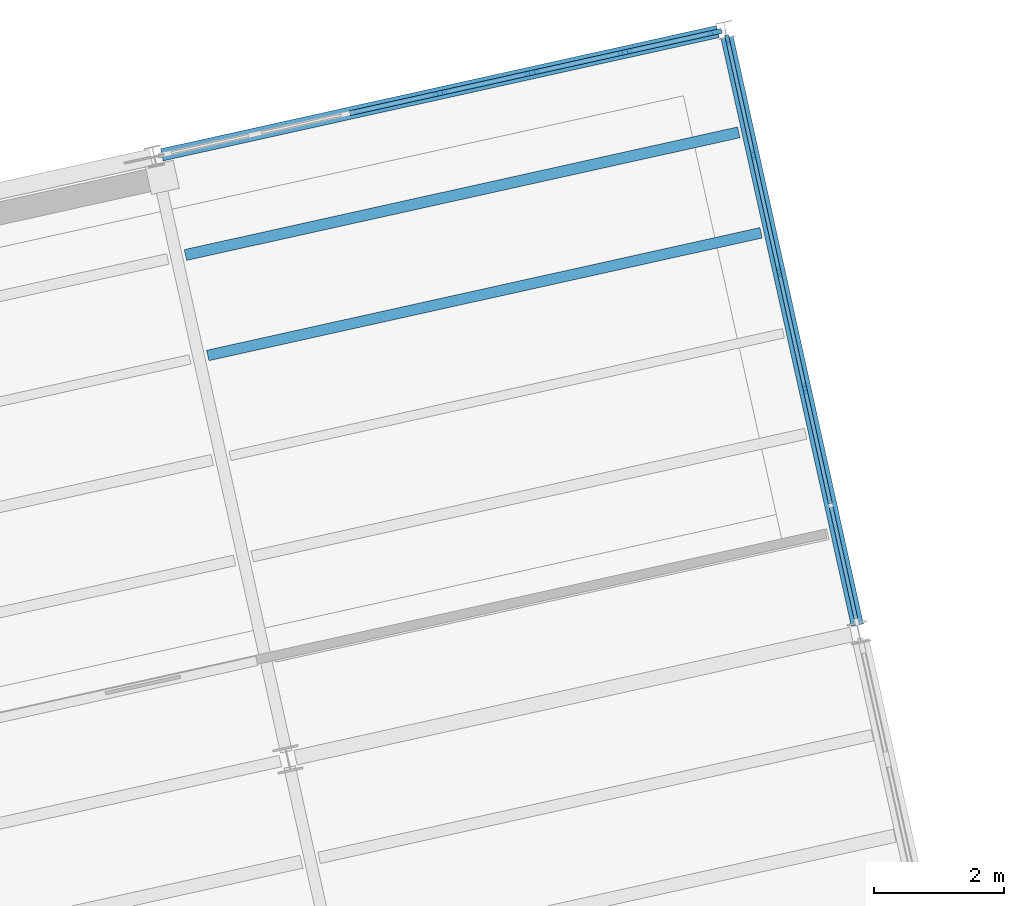
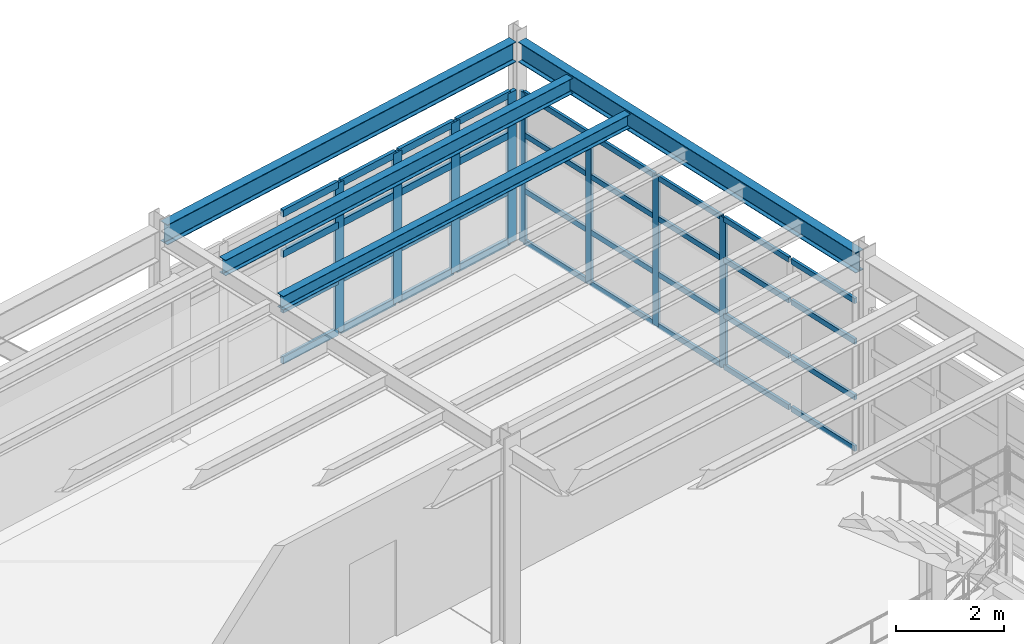
# One storey, part 58 of 102: 44 members, 4 beams, 2 elements without a shape of their own.
"""IFC4 building model written with IfcOpenShell, lengths in metres."""

from ifc_helpers import new_model, si_unit, direction, frame, origin, origin_2d, place, context, subcontext, project, spatial, rectangle, i_section, extrude, material, layer, layer_set, material_profile, profile_set, type_object, element, aggregate, save


model = new_model("IFC4")

# Units and contexts
model_context = context("Model", 3, precision=1e-05, world=origin(), true_north=direction((0.0, 1.0)))
body_context = subcontext(model_context, "Body", "Model", "MODEL_VIEW")
ifc_project = project(units=[si_unit("LENGTHUNIT", "METRE"), si_unit("AREAUNIT", "SQUARE_METRE"), si_unit("VOLUMEUNIT", "CUBIC_METRE"), si_unit("PLANEANGLEUNIT", "RADIAN"), si_unit("MASSUNIT", "GRAM", prefix="KILO")], contexts=[model_context])

# Site, building, storey
site_placement = place(None, origin())
site = spatial("IfcSite", under=ifc_project, at=site_placement, CompositionType="ELEMENT")
building_placement = place(site_placement, origin())
building = spatial("IfcBuilding", under=site, at=building_placement, Name="Vireo Bluff Cable Station", CompositionType="ELEMENT")
storey_placement = place(building_placement, frame((0.0, 0.0, 9.60009765625)))
storey = spatial("IfcBuildingStorey", under=building, at=storey_placement, Name="L02", CompositionType="ELEMENT", Elevation=9.60009765625)

# Curtain wall, members
ifc_material_1 = material(Name="Anodized Aluminium 6063-T6", Category="aluminium")
ifc_layer_1 = layer(ifc_material_1, 0.179931640625, Name="Anodized Aluminium 6063-T6")
ifc_layer_set_1 = layer_set([ifc_layer_1], Name="Anodized Aluminium 6063-T6")
curtain_wall_type_1 = type_object("IfcCurtainWallType", Name="CW-UNIT-1400", PredefinedType="USERDEFINED", material=ifc_layer_set_1)
curtain_wall_1_placement = place(storey_placement, origin())
curtain_wall_1 = element("IfcCurtainWall", 1, at=curtain_wall_1_placement, inside=storey, type_object=curtain_wall_type_1, Name="V2 L02 north curtain wall CW-057", ObjectType="UNITISED CURTAIN WALL", PredefinedType="USERDEFINED")
ifc_material_profile_1 = material_profile(ifc_material_1, rectangle(XDim=0.074951171875, YDim=0.2099609375, at=origin_2d()), Name="ALU-M-75X210")
ifc_profile_set_1 = profile_set([ifc_material_profile_1], Name="Anodized Aluminium 6063-T6")
member_type_1 = type_object("IfcMemberType", Name="CWM-02", PredefinedType="MULLION", material=ifc_profile_set_1)
member_1_placement = place(storey_placement, frame((150.58447265625, 108.642333984375, 0.0), z_axis=(0.0, 0.0, 1.0), x_axis=(-0.216439615489, 0.976296006776, 0.0)))
member_1 = element("IfcMember", 2, at=member_1_placement, type_object=member_type_1, Name="CW-057 mullion 4", PredefinedType="MULLION", context=body_context, shape_type="SweptSolid", body=[
    extrude(rectangle(XDim=0.074951171875, YDim=0.2099609375, at=origin_2d()), origin(), (0.0, 0.0, 1.0), 3.39990234375),
])
member_2_placement = place(storey_placement, frame((152.0068359375, 108.95751953125, 0.0), z_axis=(0.0, 0.0, 1.0), x_axis=(-0.216439615489, 0.976296006776, 0.0)))
member_2 = element("IfcMember", 3, at=member_2_placement, type_object=member_type_1, Name="CW-057 mullion 5", PredefinedType="MULLION", context=body_context, shape_type="SweptSolid", body=[
    extrude(rectangle(XDim=0.074951171875, YDim=0.2099609375, at=origin_2d()), origin(), (0.0, 0.0, 1.0), 3.39990234375),
])
member_3_placement = place(storey_placement, frame((153.42919921875, 109.27294921875, 0.0), z_axis=(0.0, 0.0, 1.0), x_axis=(-0.216439615489, 0.976296006776, 0.0)))
member_3 = element("IfcMember", 4, at=member_3_placement, type_object=member_type_1, Name="CW-057 mullion 6", PredefinedType="MULLION", context=body_context, shape_type="SweptSolid", body=[
    extrude(rectangle(XDim=0.074951171875, YDim=0.2099609375, at=origin_2d()), origin(), (0.0, 0.0, 1.0), 3.39990234375),
])
member_4_placement = place(storey_placement, frame((154.815185546875, 109.580078125, 0.0), z_axis=(0.0, 0.0, 1.0), x_axis=(-0.216439615489, 0.976296006776, 0.0)))
member_4 = element("IfcMember", 5, at=member_4_placement, type_object=member_type_1, Name="CW-057 mullion 7", PredefinedType="MULLION", context=body_context, shape_type="SweptSolid", body=[
    extrude(rectangle(XDim=0.074951171875, YDim=0.2099609375, at=origin_2d()), origin(), (0.0, 0.0, 1.0), 3.39990234375),
])

ifc_layer_2 = layer(ifc_material_1, 0.159912109375, Name="Anodized Aluminium 6063-T6")
ifc_layer_set_2 = layer_set([ifc_layer_2], Name="Anodized Aluminium 6063-T6")
curtain_wall_type_2 = type_object("IfcCurtainWallType", Name="CW-STICK-1750", PredefinedType="USERDEFINED", material=ifc_layer_set_2)
curtain_wall_2_placement = place(storey_placement, origin())
curtain_wall_2 = element("IfcCurtainWall", 6, at=curtain_wall_2_placement, inside=storey, type_object=curtain_wall_type_2, Name="V2 L02 east curtain wall CW-058", ObjectType="STICK CURTAIN WALL", PredefinedType="USERDEFINED")
ifc_material_profile_2 = material_profile(ifc_material_1, rectangle(XDim=0.06005859375, YDim=0.159912109375, at=origin_2d()), Name="ALU-M-60X160")
ifc_profile_set_2 = profile_set([ifc_material_profile_2], Name="Anodized Aluminium 6063-T6")
member_type_2 = type_object("IfcMemberType", Name="CWM-03", PredefinedType="MULLION", material=ifc_profile_set_2)
member_5_placement = place(storey_placement, frame((155.0126953125, 109.4599609375, 0.0), z_axis=(0.0, 0.0, 1.0), x_axis=(0.976295990219, 0.216439690173, 0.0)))
member_5 = element("IfcMember", 7, at=member_5_placement, type_object=member_type_2, Name="CW-058 mullion 1", PredefinedType="MULLION", context=body_context, shape_type="SweptSolid", body=[
    extrude(rectangle(XDim=0.06005859375, YDim=0.159912109375, at=origin_2d()), origin(), (0.0, 0.0, 1.0), 3.39990234375),
])
member_6_placement = place(storey_placement, frame((155.40478515625, 107.691650390625, 0.0), z_axis=(0.0, 0.0, 1.0), x_axis=(0.976295990219, 0.216439690173, 0.0)))
member_6 = element("IfcMember", 8, at=member_6_placement, type_object=member_type_2, Name="CW-058 mullion 2", PredefinedType="MULLION", context=body_context, shape_type="SweptSolid", body=[
    extrude(rectangle(XDim=0.06005859375, YDim=0.159912109375, at=origin_2d()), origin(), (0.0, 0.0, 1.0), 3.39990234375),
])
member_7_placement = place(storey_placement, frame((155.80322265625, 105.89404296875, 0.0), z_axis=(0.0, 0.0, 1.0), x_axis=(0.976295990219, 0.216439690173, 0.0)))
member_7 = element("IfcMember", 9, at=member_7_placement, type_object=member_type_2, Name="CW-058 mullion 3", PredefinedType="MULLION", context=body_context, shape_type="SweptSolid", body=[
    extrude(rectangle(XDim=0.06005859375, YDim=0.159912109375, at=origin_2d()), origin(), (0.0, 0.0, 1.0), 3.39990234375),
])
member_8_placement = place(storey_placement, frame((156.201904296875, 104.096435546875, 0.0), z_axis=(0.0, 0.0, 1.0), x_axis=(0.976295990219, 0.216439690173, 0.0)))
member_8 = element("IfcMember", 10, at=member_8_placement, type_object=member_type_2, Name="CW-058 mullion 4", PredefinedType="MULLION", context=body_context, shape_type="SweptSolid", body=[
    extrude(rectangle(XDim=0.06005859375, YDim=0.159912109375, at=origin_2d()), origin(), (0.0, 0.0, 1.0), 3.39990234375),
])

# Member
ifc_material_profile_3 = material_profile(ifc_material_1, rectangle(XDim=0.074951171875, YDim=0.159912109375, at=origin_2d()), Name="ALU-T-75X160")
ifc_profile_set_3 = profile_set([ifc_material_profile_3], Name="Anodized Aluminium 6063-T6")
member_type_3 = type_object("IfcMemberType", Name="CWT-02", PredefinedType="USERDEFINED", material=ifc_profile_set_3)
member_9_placement = place(storey_placement, frame((149.19873046875, 108.3349609375, 0.037353515625), z_axis=(0.976299169317, 0.216425349695, 0.0), x_axis=(-0.216425349695, 0.976299169317, 0.0)))
member_9 = element("IfcMember", 11, at=member_9_placement, type_object=member_type_3, Name="CW-057 transom 3.1", ObjectType="TRANSOM", PredefinedType="USERDEFINED", context=body_context, shape_type="SweptSolid", body=[
    extrude(rectangle(XDim=0.074951171875, YDim=0.159912109375, at=origin_2d()), origin(), (0.0, 0.0, 1.0), 1.3818359375),
])

member_10_placement = place(storey_placement, frame((149.19873046875, 108.3349609375, 1.18994140625), z_axis=(0.976299169317, 0.216425349695, 0.0), x_axis=(-0.216425349695, 0.976299169317, 0.0)))
member_10 = element("IfcMember", 12, at=member_10_placement, type_object=member_type_3, Name="CW-057 transom 3.2", ObjectType="TRANSOM", PredefinedType="USERDEFINED", context=body_context, shape_type="SweptSolid", body=[
    extrude(rectangle(XDim=0.074951171875, YDim=0.159912109375, at=origin_2d()), origin(), (0.0, 0.0, 1.0), 1.3818359375),
])

member_11_placement = place(storey_placement, frame((149.19873046875, 108.3349609375, 2.447998046875), z_axis=(0.976299169317, 0.216425349695, 0.0), x_axis=(-0.216425349695, 0.976299169317, 0.0)))
member_11 = element("IfcMember", 13, at=member_11_placement, type_object=member_type_3, Name="CW-057 transom 3.3", ObjectType="TRANSOM", PredefinedType="USERDEFINED", context=body_context, shape_type="SweptSolid", body=[
    extrude(rectangle(XDim=0.074951171875, YDim=0.159912109375, at=origin_2d()), origin(), (0.0, 0.0, 1.0), 1.3818359375),
])

member_12_placement = place(storey_placement, frame((149.19873046875, 108.3349609375, 3.3623046875), z_axis=(0.976299169317, 0.216425349695, 0.0), x_axis=(-0.216425349695, 0.976299169317, 0.0)))
member_12 = element("IfcMember", 14, at=member_12_placement, type_object=member_type_3, Name="CW-057 transom 3.4", ObjectType="TRANSOM", PredefinedType="USERDEFINED", context=body_context, shape_type="SweptSolid", body=[
    extrude(rectangle(XDim=0.074951171875, YDim=0.159912109375, at=origin_2d()), origin(), (0.0, 0.0, 1.0), 1.3818359375),
])

member_13_placement = place(storey_placement, frame((150.62109375, 108.650390625, 0.037353515625), z_axis=(0.976299169317, 0.216425349695, 0.0), x_axis=(-0.216425349695, 0.976299169317, 0.0)))
member_13 = element("IfcMember", 15, at=member_13_placement, type_object=member_type_3, Name="CW-057 transom 4.1", ObjectType="TRANSOM", PredefinedType="USERDEFINED", context=body_context, shape_type="SweptSolid", body=[
    extrude(rectangle(XDim=0.074951171875, YDim=0.159912109375, at=origin_2d()), origin(), (0.0, 0.0, 1.0), 1.3818359375),
])

member_14_placement = place(storey_placement, frame((150.62109375, 108.650390625, 1.18994140625), z_axis=(0.976299169317, 0.216425349695, 0.0), x_axis=(-0.216425349695, 0.976299169317, 0.0)))
member_14 = element("IfcMember", 16, at=member_14_placement, type_object=member_type_3, Name="CW-057 transom 4.2", ObjectType="TRANSOM", PredefinedType="USERDEFINED", context=body_context, shape_type="SweptSolid", body=[
    extrude(rectangle(XDim=0.074951171875, YDim=0.159912109375, at=origin_2d()), origin(), (0.0, 0.0, 1.0), 1.3818359375),
])

member_15_placement = place(storey_placement, frame((150.62109375, 108.650390625, 2.447998046875), z_axis=(0.976299169317, 0.216425349695, 0.0), x_axis=(-0.216425349695, 0.976299169317, 0.0)))
member_15 = element("IfcMember", 17, at=member_15_placement, type_object=member_type_3, Name="CW-057 transom 4.3", ObjectType="TRANSOM", PredefinedType="USERDEFINED", context=body_context, shape_type="SweptSolid", body=[
    extrude(rectangle(XDim=0.074951171875, YDim=0.159912109375, at=origin_2d()), origin(), (0.0, 0.0, 1.0), 1.3818359375),
])

member_16_placement = place(storey_placement, frame((150.62109375, 108.650390625, 3.3623046875), z_axis=(0.976299169317, 0.216425349695, 0.0), x_axis=(-0.216425349695, 0.976299169317, 0.0)))
member_16 = element("IfcMember", 18, at=member_16_placement, type_object=member_type_3, Name="CW-057 transom 4.4", ObjectType="TRANSOM", PredefinedType="USERDEFINED", context=body_context, shape_type="SweptSolid", body=[
    extrude(rectangle(XDim=0.074951171875, YDim=0.159912109375, at=origin_2d()), origin(), (0.0, 0.0, 1.0), 1.3818359375),
])

member_17_placement = place(storey_placement, frame((152.04345703125, 108.965576171875, 0.037353515625), z_axis=(0.976270111593, 0.216556388061, 0.0), x_axis=(-0.216556388061, 0.976270111593, 0.0)))
member_17 = element("IfcMember", 19, at=member_17_placement, type_object=member_type_3, Name="CW-057 transom 5.1", ObjectType="TRANSOM", PredefinedType="USERDEFINED", context=body_context, shape_type="SweptSolid", body=[
    extrude(rectangle(XDim=0.074951171875, YDim=0.159912109375, at=origin_2d()), origin(), (0.0, 0.0, 1.0), 1.382080078125),
])

member_18_placement = place(storey_placement, frame((152.04345703125, 108.965576171875, 1.18994140625), z_axis=(0.976270111593, 0.216556388061, 0.0), x_axis=(-0.216556388061, 0.976270111593, 0.0)))
member_18 = element("IfcMember", 20, at=member_18_placement, type_object=member_type_3, Name="CW-057 transom 5.2", ObjectType="TRANSOM", PredefinedType="USERDEFINED", context=body_context, shape_type="SweptSolid", body=[
    extrude(rectangle(XDim=0.074951171875, YDim=0.159912109375, at=origin_2d()), origin(), (0.0, 0.0, 1.0), 1.382080078125),
])

member_19_placement = place(storey_placement, frame((152.04345703125, 108.965576171875, 2.447998046875), z_axis=(0.976270111593, 0.216556388061, 0.0), x_axis=(-0.216556388061, 0.976270111593, 0.0)))
member_19 = element("IfcMember", 21, at=member_19_placement, type_object=member_type_3, Name="CW-057 transom 5.3", ObjectType="TRANSOM", PredefinedType="USERDEFINED", context=body_context, shape_type="SweptSolid", body=[
    extrude(rectangle(XDim=0.074951171875, YDim=0.159912109375, at=origin_2d()), origin(), (0.0, 0.0, 1.0), 1.382080078125),
])

member_20_placement = place(storey_placement, frame((152.04345703125, 108.965576171875, 3.3623046875), z_axis=(0.976270111593, 0.216556388061, 0.0), x_axis=(-0.216556388061, 0.976270111593, 0.0)))
member_20 = element("IfcMember", 22, at=member_20_placement, type_object=member_type_3, Name="CW-057 transom 5.4", ObjectType="TRANSOM", PredefinedType="USERDEFINED", context=body_context, shape_type="SweptSolid", body=[
    extrude(rectangle(XDim=0.074951171875, YDim=0.159912109375, at=origin_2d()), origin(), (0.0, 0.0, 1.0), 1.382080078125),
])

member_21_placement = place(storey_placement, frame((153.4658203125, 109.281005859375, 0.037353515625), z_axis=(0.976298009888, 0.216430579838, 0.0), x_axis=(-0.216430579838, 0.976298009888, 0.0)))
member_21 = element("IfcMember", 23, at=member_21_placement, type_object=member_type_3, Name="CW-057 transom 6.1", ObjectType="TRANSOM", PredefinedType="USERDEFINED", context=body_context, shape_type="SweptSolid", body=[
    extrude(rectangle(XDim=0.074951171875, YDim=0.159912109375, at=origin_2d()), origin(), (0.0, 0.0, 1.0), 1.3447265625),
])

member_22_placement = place(storey_placement, frame((153.4658203125, 109.281005859375, 1.18994140625), z_axis=(0.976298009888, 0.216430579838, 0.0), x_axis=(-0.216430579838, 0.976298009888, 0.0)))
member_22 = element("IfcMember", 24, at=member_22_placement, type_object=member_type_3, Name="CW-057 transom 6.2", ObjectType="TRANSOM", PredefinedType="USERDEFINED", context=body_context, shape_type="SweptSolid", body=[
    extrude(rectangle(XDim=0.074951171875, YDim=0.159912109375, at=origin_2d()), origin(), (0.0, 0.0, 1.0), 1.3447265625),
])

member_23_placement = place(storey_placement, frame((153.4658203125, 109.281005859375, 2.447998046875), z_axis=(0.976298009888, 0.216430579838, 0.0), x_axis=(-0.216430579838, 0.976298009888, 0.0)))
member_23 = element("IfcMember", 25, at=member_23_placement, type_object=member_type_3, Name="CW-057 transom 6.3", ObjectType="TRANSOM", PredefinedType="USERDEFINED", context=body_context, shape_type="SweptSolid", body=[
    extrude(rectangle(XDim=0.074951171875, YDim=0.159912109375, at=origin_2d()), origin(), (0.0, 0.0, 1.0), 1.3447265625),
])

member_24_placement = place(storey_placement, frame((153.4658203125, 109.281005859375, 3.3623046875), z_axis=(0.976298009888, 0.216430579838, 0.0), x_axis=(-0.216430579838, 0.976298009888, 0.0)))
member_24 = element("IfcMember", 26, at=member_24_placement, type_object=member_type_3, Name="CW-057 transom 6.4", ObjectType="TRANSOM", PredefinedType="USERDEFINED", context=body_context, shape_type="SweptSolid", body=[
    extrude(rectangle(XDim=0.074951171875, YDim=0.159912109375, at=origin_2d()), origin(), (0.0, 0.0, 1.0), 1.3447265625),
])

aggregate(curtain_wall_1, [member_1, member_2, member_3, member_4, member_9, member_10, member_11, member_12, member_13, member_14, member_15, member_16, member_17, member_18, member_19, member_20, member_21, member_22, member_23, member_24])

ifc_material_profile_4 = material_profile(ifc_material_1, rectangle(XDim=0.06005859375, YDim=0.1201171875, at=origin_2d()), Name="ALU-T-60X120")
ifc_profile_set_4 = profile_set([ifc_material_profile_4], Name="Anodized Aluminium 6063-T6")
member_type_4 = type_object("IfcMemberType", Name="CWT-03", PredefinedType="USERDEFINED", material=ifc_profile_set_4)
member_25_placement = place(storey_placement, frame((155.019287109375, 109.4306640625, 0.02978515625), z_axis=(0.216369488371, -0.976311550942, 0.0), x_axis=(0.976311550942, 0.216369488371, 0.0)))
member_25 = element("IfcMember", 27, at=member_25_placement, type_object=member_type_4, Name="CW-058 transom 1.1", ObjectType="TRANSOM", PredefinedType="USERDEFINED", context=body_context, shape_type="SweptSolid", body=[
    extrude(rectangle(XDim=0.06005859375, YDim=0.1201171875, at=origin_2d()), origin(), (0.0, 0.0, 1.0), 1.751220703125),
])

member_26_placement = place(storey_placement, frame((155.019287109375, 109.4306640625, 1.18994140625), z_axis=(0.216369488371, -0.976311550942, 0.0), x_axis=(0.976311550942, 0.216369488371, 0.0)))
member_26 = element("IfcMember", 28, at=member_26_placement, type_object=member_type_4, Name="CW-058 transom 1.2", ObjectType="TRANSOM", PredefinedType="USERDEFINED", context=body_context, shape_type="SweptSolid", body=[
    extrude(rectangle(XDim=0.06005859375, YDim=0.1201171875, at=origin_2d()), origin(), (0.0, 0.0, 1.0), 1.751220703125),
])

member_27_placement = place(storey_placement, frame((155.019287109375, 109.4306640625, 2.447998046875), z_axis=(0.216369488371, -0.976311550942, 0.0), x_axis=(0.976311550942, 0.216369488371, 0.0)))
member_27 = element("IfcMember", 29, at=member_27_placement, type_object=member_type_4, Name="CW-058 transom 1.3", ObjectType="TRANSOM", PredefinedType="USERDEFINED", context=body_context, shape_type="SweptSolid", body=[
    extrude(rectangle(XDim=0.06005859375, YDim=0.1201171875, at=origin_2d()), origin(), (0.0, 0.0, 1.0), 1.751220703125),
])

member_28_placement = place(storey_placement, frame((155.019287109375, 109.4306640625, 3.369873046875), z_axis=(0.216369488371, -0.976311550942, 0.0), x_axis=(0.976311550942, 0.216369488371, 0.0)))
member_28 = element("IfcMember", 30, at=member_28_placement, type_object=member_type_4, Name="CW-058 transom 1.4", ObjectType="TRANSOM", PredefinedType="USERDEFINED", context=body_context, shape_type="SweptSolid", body=[
    extrude(rectangle(XDim=0.06005859375, YDim=0.1201171875, at=origin_2d()), origin(), (0.0, 0.0, 1.0), 1.751220703125),
])

member_29_placement = place(storey_placement, frame((155.411376953125, 107.662353515625, 0.02978515625), z_axis=(0.216422489071, -0.976299803454, 0.0), x_axis=(0.976299803454, 0.216422489071, 0.0)))
member_29 = element("IfcMember", 31, at=member_29_placement, type_object=member_type_4, Name="CW-058 transom 2.1", ObjectType="TRANSOM", PredefinedType="USERDEFINED", context=body_context, shape_type="SweptSolid", body=[
    extrude(rectangle(XDim=0.06005859375, YDim=0.1201171875, at=origin_2d()), origin(), (0.0, 0.0, 1.0), 1.78125),
])

member_30_placement = place(storey_placement, frame((155.411376953125, 107.662353515625, 1.18994140625), z_axis=(0.216422489071, -0.976299803454, 0.0), x_axis=(0.976299803454, 0.216422489071, 0.0)))
member_30 = element("IfcMember", 32, at=member_30_placement, type_object=member_type_4, Name="CW-058 transom 2.2", ObjectType="TRANSOM", PredefinedType="USERDEFINED", context=body_context, shape_type="SweptSolid", body=[
    extrude(rectangle(XDim=0.06005859375, YDim=0.1201171875, at=origin_2d()), origin(), (0.0, 0.0, 1.0), 1.78125),
])

member_31_placement = place(storey_placement, frame((155.411376953125, 107.662353515625, 2.447998046875), z_axis=(0.216422489071, -0.976299803454, 0.0), x_axis=(0.976299803454, 0.216422489071, 0.0)))
member_31 = element("IfcMember", 33, at=member_31_placement, type_object=member_type_4, Name="CW-058 transom 2.3", ObjectType="TRANSOM", PredefinedType="USERDEFINED", context=body_context, shape_type="SweptSolid", body=[
    extrude(rectangle(XDim=0.06005859375, YDim=0.1201171875, at=origin_2d()), origin(), (0.0, 0.0, 1.0), 1.78125),
])

member_32_placement = place(storey_placement, frame((155.411376953125, 107.662353515625, 3.369873046875), z_axis=(0.216422489071, -0.976299803454, 0.0), x_axis=(0.976299803454, 0.216422489071, 0.0)))
member_32 = element("IfcMember", 34, at=member_32_placement, type_object=member_type_4, Name="CW-058 transom 2.4", ObjectType="TRANSOM", PredefinedType="USERDEFINED", context=body_context, shape_type="SweptSolid", body=[
    extrude(rectangle(XDim=0.06005859375, YDim=0.1201171875, at=origin_2d()), origin(), (0.0, 0.0, 1.0), 1.78125),
])

member_33_placement = place(storey_placement, frame((155.809814453125, 105.86474609375, 0.02978515625), z_axis=(0.216422489071, -0.976299803454, 0.0), x_axis=(0.976299803454, 0.216422489071, 0.0)))
member_33 = element("IfcMember", 35, at=member_33_placement, type_object=member_type_4, Name="CW-058 transom 3.1", ObjectType="TRANSOM", PredefinedType="USERDEFINED", context=body_context, shape_type="SweptSolid", body=[
    extrude(rectangle(XDim=0.06005859375, YDim=0.1201171875, at=origin_2d()), origin(), (0.0, 0.0, 1.0), 1.78125),
])

member_34_placement = place(storey_placement, frame((155.809814453125, 105.86474609375, 1.18994140625), z_axis=(0.216422489071, -0.976299803454, 0.0), x_axis=(0.976299803454, 0.216422489071, 0.0)))
member_34 = element("IfcMember", 36, at=member_34_placement, type_object=member_type_4, Name="CW-058 transom 3.2", ObjectType="TRANSOM", PredefinedType="USERDEFINED", context=body_context, shape_type="SweptSolid", body=[
    extrude(rectangle(XDim=0.06005859375, YDim=0.1201171875, at=origin_2d()), origin(), (0.0, 0.0, 1.0), 1.78125),
])

member_35_placement = place(storey_placement, frame((155.809814453125, 105.86474609375, 2.447998046875), z_axis=(0.216422489071, -0.976299803454, 0.0), x_axis=(0.976299803454, 0.216422489071, 0.0)))
member_35 = element("IfcMember", 37, at=member_35_placement, type_object=member_type_4, Name="CW-058 transom 3.3", ObjectType="TRANSOM", PredefinedType="USERDEFINED", context=body_context, shape_type="SweptSolid", body=[
    extrude(rectangle(XDim=0.06005859375, YDim=0.1201171875, at=origin_2d()), origin(), (0.0, 0.0, 1.0), 1.78125),
])

member_36_placement = place(storey_placement, frame((155.809814453125, 105.86474609375, 3.369873046875), z_axis=(0.216422489071, -0.976299803454, 0.0), x_axis=(0.976299803454, 0.216422489071, 0.0)))
member_36 = element("IfcMember", 38, at=member_36_placement, type_object=member_type_4, Name="CW-058 transom 3.4", ObjectType="TRANSOM", PredefinedType="USERDEFINED", context=body_context, shape_type="SweptSolid", body=[
    extrude(rectangle(XDim=0.06005859375, YDim=0.1201171875, at=origin_2d()), origin(), (0.0, 0.0, 1.0), 1.78125),
])

member_37_placement = place(storey_placement, frame((156.208251953125, 104.067138671875, 0.02978515625), z_axis=(0.216553126413, -0.976270835087, 0.0), x_axis=(0.976270835087, 0.216553126413, 0.0)))
member_37 = element("IfcMember", 39, at=member_37_placement, type_object=member_type_4, Name="CW-058 transom 4.1", ObjectType="TRANSOM", PredefinedType="USERDEFINED", context=body_context, shape_type="SweptSolid", body=[
    extrude(rectangle(XDim=0.06005859375, YDim=0.1201171875, at=origin_2d()), origin(), (0.0, 0.0, 1.0), 1.78125),
])

member_38_placement = place(storey_placement, frame((156.208251953125, 104.067138671875, 1.18994140625), z_axis=(0.216553126413, -0.976270835087, 0.0), x_axis=(0.976270835087, 0.216553126413, 0.0)))
member_38 = element("IfcMember", 40, at=member_38_placement, type_object=member_type_4, Name="CW-058 transom 4.2", ObjectType="TRANSOM", PredefinedType="USERDEFINED", context=body_context, shape_type="SweptSolid", body=[
    extrude(rectangle(XDim=0.06005859375, YDim=0.1201171875, at=origin_2d()), origin(), (0.0, 0.0, 1.0), 1.78125),
])

member_39_placement = place(storey_placement, frame((156.208251953125, 104.067138671875, 2.447998046875), z_axis=(0.216553126413, -0.976270835087, 0.0), x_axis=(0.976270835087, 0.216553126413, 0.0)))
member_39 = element("IfcMember", 41, at=member_39_placement, type_object=member_type_4, Name="CW-058 transom 4.3", ObjectType="TRANSOM", PredefinedType="USERDEFINED", context=body_context, shape_type="SweptSolid", body=[
    extrude(rectangle(XDim=0.06005859375, YDim=0.1201171875, at=origin_2d()), origin(), (0.0, 0.0, 1.0), 1.78125),
])

member_40_placement = place(storey_placement, frame((156.208251953125, 104.067138671875, 3.369873046875), z_axis=(0.216553126413, -0.976270835087, 0.0), x_axis=(0.976270835087, 0.216553126413, 0.0)))
member_40 = element("IfcMember", 42, at=member_40_placement, type_object=member_type_4, Name="CW-058 transom 4.4", ObjectType="TRANSOM", PredefinedType="USERDEFINED", context=body_context, shape_type="SweptSolid", body=[
    extrude(rectangle(XDim=0.06005859375, YDim=0.1201171875, at=origin_2d()), origin(), (0.0, 0.0, 1.0), 1.78125),
])

member_41_placement = place(storey_placement, frame((156.60693359375, 102.26953125, 0.02978515625), z_axis=(0.216340042047, -0.97631807635, 0.0), x_axis=(0.97631807635, 0.216340042047, 0.0)))
member_41 = element("IfcMember", 43, at=member_41_placement, type_object=member_type_4, Name="CW-058 transom 5.1", ObjectType="TRANSOM", PredefinedType="USERDEFINED", context=body_context, shape_type="SweptSolid", body=[
    extrude(rectangle(XDim=0.06005859375, YDim=0.1201171875, at=origin_2d()), origin(), (0.0, 0.0, 1.0), 1.75146484375),
])

member_42_placement = place(storey_placement, frame((156.60693359375, 102.26953125, 1.18994140625), z_axis=(0.216340042047, -0.97631807635, 0.0), x_axis=(0.97631807635, 0.216340042047, 0.0)))
member_42 = element("IfcMember", 44, at=member_42_placement, type_object=member_type_4, Name="CW-058 transom 5.2", ObjectType="TRANSOM", PredefinedType="USERDEFINED", context=body_context, shape_type="SweptSolid", body=[
    extrude(rectangle(XDim=0.06005859375, YDim=0.1201171875, at=origin_2d()), origin(), (0.0, 0.0, 1.0), 1.75146484375),
])

member_43_placement = place(storey_placement, frame((156.60693359375, 102.26953125, 2.447998046875), z_axis=(0.216340042047, -0.97631807635, 0.0), x_axis=(0.97631807635, 0.216340042047, 0.0)))
member_43 = element("IfcMember", 45, at=member_43_placement, type_object=member_type_4, Name="CW-058 transom 5.3", ObjectType="TRANSOM", PredefinedType="USERDEFINED", context=body_context, shape_type="SweptSolid", body=[
    extrude(rectangle(XDim=0.06005859375, YDim=0.1201171875, at=origin_2d()), origin(), (0.0, 0.0, 1.0), 1.75146484375),
])

member_44_placement = place(storey_placement, frame((156.60693359375, 102.26953125, 3.369873046875), z_axis=(0.216340042047, -0.97631807635, 0.0), x_axis=(0.97631807635, 0.216340042047, 0.0)))
member_44 = element("IfcMember", 46, at=member_44_placement, type_object=member_type_4, Name="CW-058 transom 5.4", ObjectType="TRANSOM", PredefinedType="USERDEFINED", context=body_context, shape_type="SweptSolid", body=[
    extrude(rectangle(XDim=0.06005859375, YDim=0.1201171875, at=origin_2d()), origin(), (0.0, 0.0, 1.0), 1.75146484375),
])

aggregate(curtain_wall_2, [member_5, member_6, member_7, member_8, member_25, member_26, member_27, member_28, member_29, member_30, member_31, member_32, member_33, member_34, member_35, member_36, member_37, member_38, member_39, member_40, member_41, member_42, member_43, member_44])

# Beams
ifc_material_2 = material(Name="Steel ASTM A992 Gr. 50", Category="steel")
ifc_material_profile_5 = material_profile(ifc_material_2, i_section(OverallWidth=0.1650390625, OverallDepth=0.31005859375, WebThickness=0.005859375, FlangeThickness=0.009765625, FilletRadius=0.010009765625, at=origin_2d()), Name="W12X26")
ifc_profile_set_5 = profile_set([ifc_material_profile_5], Name="Steel ASTM A992 Gr. 50")
beam_type_1 = type_object("IfcBeamType", Name="JST-W12X26", PredefinedType="JOIST", material=ifc_profile_set_5)
beam_1_placement = place(storey_placement, frame((147.013427734375, 104.60693359375, 4.385009765625), z_axis=(0.976294318526, 0.216447230551, 0.0), x_axis=(-0.216447230551, 0.976294318526, 0.0)))
element("IfcBeam", 47, at=beam_1_placement, inside=storey, type_object=beam_type_1, Name="V2 L02 composite joist 562", PredefinedType="JOIST", context=body_context, shape_type="SweptSolid", body=[
    extrude(i_section(OverallWidth=0.1650390625, OverallDepth=0.31005859375, WebThickness=0.005859375, FlangeThickness=0.009765625, FilletRadius=0.010009765625, at=origin_2d()), origin(), (0.0, 0.0, 1.0), 8.72021484375),
])
ifc_material_profile_6 = material_profile(ifc_material_2, i_section(OverallWidth=0.1708984375, OverallDepth=0.35107421875, WebThickness=0.0068359375, FlangeThickness=0.009765625, FilletRadius=0.010009765625, at=origin_2d()), Name="W14X30")
ifc_profile_set_6 = profile_set([ifc_material_profile_6], Name="Steel ASTM A992 Gr. 50")
beam_type_2 = type_object("IfcBeamType", Name="JST-W14X30", PredefinedType="JOIST", material=ifc_profile_set_6)
beam_2_placement = place(storey_placement, frame((146.6708984375, 106.15283203125, 4.364501953125), z_axis=(0.976298923088, 0.216426460438, 0.0), x_axis=(-0.216426460438, 0.976298923088, 0.0)))
element("IfcBeam", 48, at=beam_2_placement, inside=storey, type_object=beam_type_2, Name="V2 L02 composite joist 563", PredefinedType="JOIST", context=body_context, shape_type="SweptSolid", body=[
    extrude(i_section(OverallWidth=0.1708984375, OverallDepth=0.35107421875, WebThickness=0.0068359375, FlangeThickness=0.009765625, FilletRadius=0.010009765625, at=origin_2d()), origin(), (0.0, 0.0, 1.0), 8.719970703125),
])
ifc_material_profile_7 = material_profile(ifc_material_2, i_section(OverallWidth=0.19091796875, OverallDepth=0.45703125, WebThickness=0.009033203125, FlangeThickness=0.014404296875, FilletRadius=0.011962890625, at=origin_2d()), Name="W18X50")
ifc_profile_set_7 = profile_set([ifc_material_profile_7], Name="Steel ASTM A992 Gr. 50")
beam_type_3 = type_object("IfcBeamType", Name="SPN-W18X50", PredefinedType="SPANDREL", material=ifc_profile_set_7)
beam_3_placement = place(storey_placement, frame((146.30859375, 107.6943359375, 4.3115234375), z_axis=(0.97629710087, 0.216434680293, 0.0), x_axis=(-0.216434680293, 0.97629710087, 0.0)))
element("IfcBeam", 49, at=beam_3_placement, inside=storey, type_object=beam_type_3, Name="V2 L02 spandrel 532", PredefinedType="SPANDREL", context=body_context, shape_type="SweptSolid", body=[
    extrude(i_section(OverallWidth=0.19091796875, OverallDepth=0.45703125, WebThickness=0.009033203125, FlangeThickness=0.014404296875, FilletRadius=0.011962890625, at=origin_2d()), origin(), (0.0, 0.0, 1.0), 8.760009765625),
])
beam_4_placement = place(storey_placement, frame((157.00830078125, 100.45849609375, 4.3115234375), z_axis=(-0.216430734067, 0.976297975698, 0.0), x_axis=(-0.976297975698, -0.216430734067, 0.0)))
element("IfcBeam", 50, at=beam_4_placement, inside=storey, type_object=beam_type_3, Name="V2 L02 spandrel 540", PredefinedType="SPANDREL", context=body_context, shape_type="SweptSolid", body=[
    extrude(i_section(OverallWidth=0.19091796875, OverallDepth=0.45703125, WebThickness=0.009033203125, FlangeThickness=0.014404296875, FilletRadius=0.011962890625, at=origin_2d()), origin(), (0.0, 0.0, 1.0), 9.260009765625),
])

save(model, "model.ifc")
